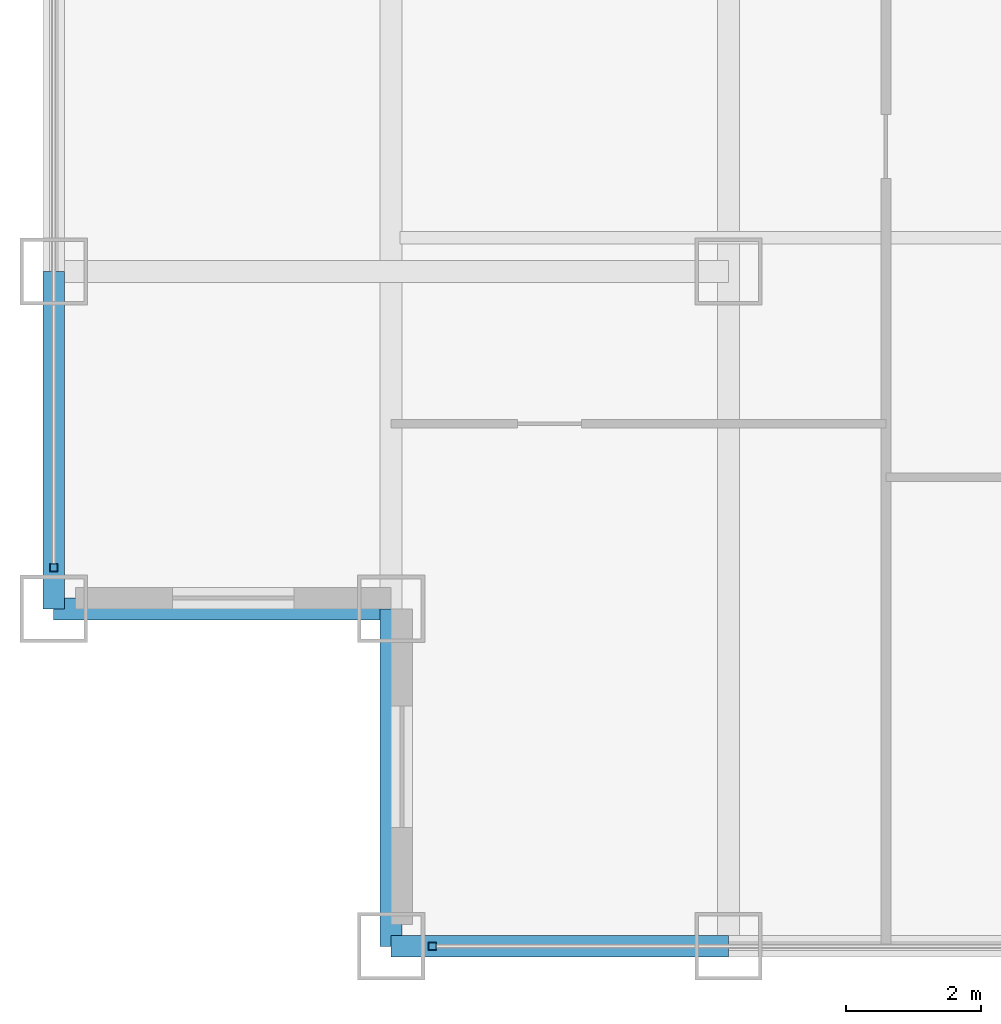
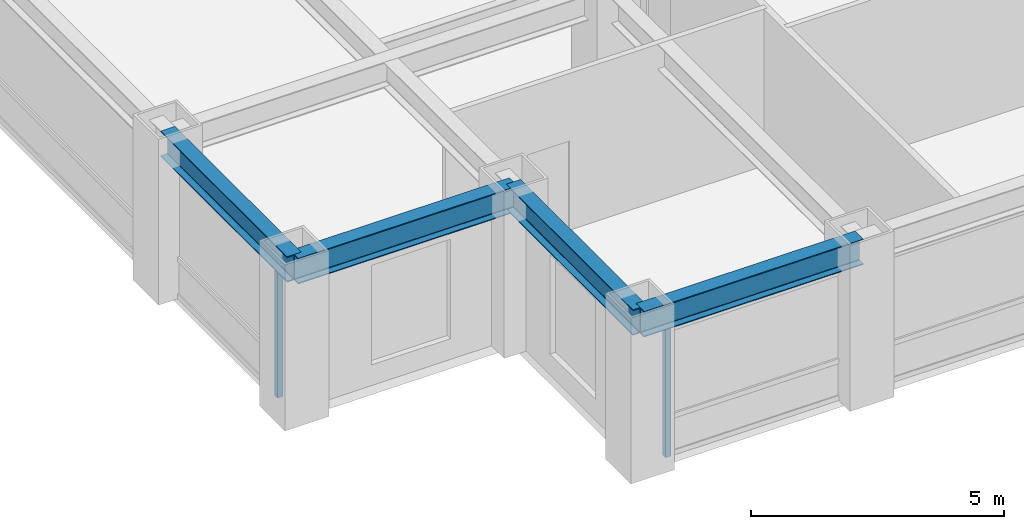
# One storey, part 2 of 24: 4 beams, 2 members, 2 elements without a shape of their own.
"""IFC4 building model written with IfcOpenShell, lengths in metres."""

from ifc_helpers import new_model, si_unit, direction, frame, origin, origin_2d, place, context, subcontext, project, spatial, hollow_rectangle, i_section, extrude, source, transform, mapped, material, material_profile, profile_set, type_object, element, aggregate, save


model = new_model("IFC4")

# Units and contexts
model_context = context("Model", 3, precision=1e-05, world=origin(), true_north=direction((0.0, 1.0)))
body_context = subcontext(model_context, "Body", "Model", "MODEL_VIEW")
ifc_project = project(units=[si_unit("LENGTHUNIT", "METRE"), si_unit("AREAUNIT", "SQUARE_METRE"), si_unit("VOLUMEUNIT", "CUBIC_METRE"), si_unit("PLANEANGLEUNIT", "RADIAN"), si_unit("MASSUNIT", "GRAM", prefix="KILO")], contexts=[model_context])

# Site, building, storey
site_placement = place(None, origin())
site = spatial("IfcSite", under=ifc_project, at=site_placement, CompositionType="ELEMENT")
building_placement = place(site_placement, origin())
building = spatial("IfcBuilding", under=site, at=building_placement, Name="Khorayat Bourse Tower", CompositionType="ELEMENT")
storey_placement = place(building_placement, frame((0.0, 0.0, 211.10009765625)))
storey = spatial("IfcBuildingStorey", under=building, at=storey_placement, Name="L49", CompositionType="ELEMENT", Elevation=211.10009765625)

# Beams
ifc_material_1 = material(Name="Steel ASTM A992 Grade 50", Category="steel")
ifc_material_profile_1 = material_profile(ifc_material_1, i_section(OverallWidth=0.324951171875, OverallDepth=0.615966796875, WebThickness=0.013916015625, FlangeThickness=0.021484375, FilletRadius=0.01611328125, at=origin_2d()), Name="W610X174")
ifc_profile_set_1 = profile_set([ifc_material_profile_1], Name="Steel ASTM A992 Grade 50")
beam_type = type_object("IfcBeamType", Name="BM-SPAN-610", PredefinedType="SPANDREL", material=ifc_profile_set_1)
shared_shape_1 = source(origin(), body_context, "Body", "SweptSolid", [
    extrude(i_section(OverallWidth=0.324951171875, OverallDepth=0.615966796875, WebThickness=0.013916015625, FlangeThickness=0.021484375, FilletRadius=0.01611328125, at=origin_2d()), origin(), (0.0, 0.0, 1.0), 5.0),
])
for number, where, z_axis, x_axis, name in (
    (1, (-25.0, -30.0, 3.471923828125), (1.0, 0.0, 0.0), (0.0, 1.0, 0.0), "L49 BM-SPAN-610 BM-L49-SPN-024"),
    (2, (-30.0, -25.0, 3.471923828125), (0.0, 1.0, 0.0), (-1.0, 0.0, 0.0), "L49 BM-SPAN-610 BM-L49-SPN-061"),
    (3, (-30.0, -25.0, 3.471923828125), (1.0, 0.0, 0.0), (0.0, 1.0, 0.0), "L49 BM-SPAN-610 BM-L49-SPN-062"),
    (4, (-25.0, -30.0, 3.471923828125), (0.0, 1.0, 0.0), (-1.0, 0.0, 0.0), "L49 BM-SPAN-610 BM-L49-SPN-063"),
):
    element("IfcBeam", number, at=place(storey_placement, frame(where, z_axis=z_axis, x_axis=x_axis)), inside=storey, type_object=beam_type, Name=name, PredefinedType="SPANDREL", context=body_context, shape_type="MappedRepresentation", body=[
        mapped(shared_shape_1, transform((0.0, 0.0, 0.0), scale=1.0)),
    ])

# Curtain wall, member
ifc_material_2 = material(Name="Aluminium EN AW-6063 T6", Category="aluminium")
curtain_wall_type = type_object("IfcCurtainWallType", Name="CW-SYS-03", PredefinedType="NOTDEFINED", material=ifc_material_2)
curtain_wall_1_placement = place(storey_placement, origin())
curtain_wall_1 = element("IfcCurtainWall", 5, at=curtain_wall_1_placement, inside=storey, type_object=curtain_wall_type, Name="L49 Curtain Wall CW-L49-S1", PredefinedType="NOTDEFINED")
ifc_material_profile_2 = material_profile(ifc_material_2, hollow_rectangle(XDim=0.1201171875, YDim=0.1201171875, WallThickness=0.0048828125, at=origin_2d()), Name="ALU 120x120x5")
ifc_profile_set_2 = profile_set([ifc_material_profile_2], Name="Aluminium EN AW-6063 T6")
member_type = type_object("IfcMemberType", Name="CWM-VERT-120", PredefinedType="MULLION", material=ifc_profile_set_2)
shared_shape_2 = source(origin(), body_context, "Body", "SweptSolid", [
    extrude(hollow_rectangle(XDim=0.1201171875, YDim=0.1201171875, WallThickness=0.0048828125, at=origin_2d()), origin(), (0.0, 0.0, 1.0), 3.1298828125),
])
member_1_placement = place(storey_placement, frame((-24.389892578125, -30.0, 0.0), z_axis=(0.0, 0.0, 1.0), x_axis=(0.0, 1.0, 0.0)))
member_1 = element("IfcMember", 6, at=member_1_placement, type_object=member_type, Name="CW-L49-S1 Vertical Mullion 1", PredefinedType="MULLION", context=body_context, shape_type="MappedRepresentation", body=[
    mapped(shared_shape_2, transform((0.0, 0.0, 0.0), scale=1.0)),
])
aggregate(curtain_wall_1, [member_1])

curtain_wall_2_placement = place(storey_placement, origin())
curtain_wall_2 = element("IfcCurtainWall", 7, at=curtain_wall_2_placement, inside=storey, type_object=curtain_wall_type, Name="L49 Curtain Wall CW-L49-W1", PredefinedType="NOTDEFINED")
member_2_placement = place(storey_placement, frame((-30.0, -24.389892578125, 0.0), z_axis=(0.0, 0.0, 1.0), x_axis=(-1.0, 0.0, 0.0)))
member_2 = element("IfcMember", 8, at=member_2_placement, type_object=member_type, Name="CW-L49-W1 Vertical Mullion 1", PredefinedType="MULLION", context=body_context, shape_type="MappedRepresentation", body=[
    mapped(shared_shape_2, transform((0.0, 0.0, 0.0), scale=1.0)),
])
aggregate(curtain_wall_2, [member_2])

save(model, "model.ifc")
